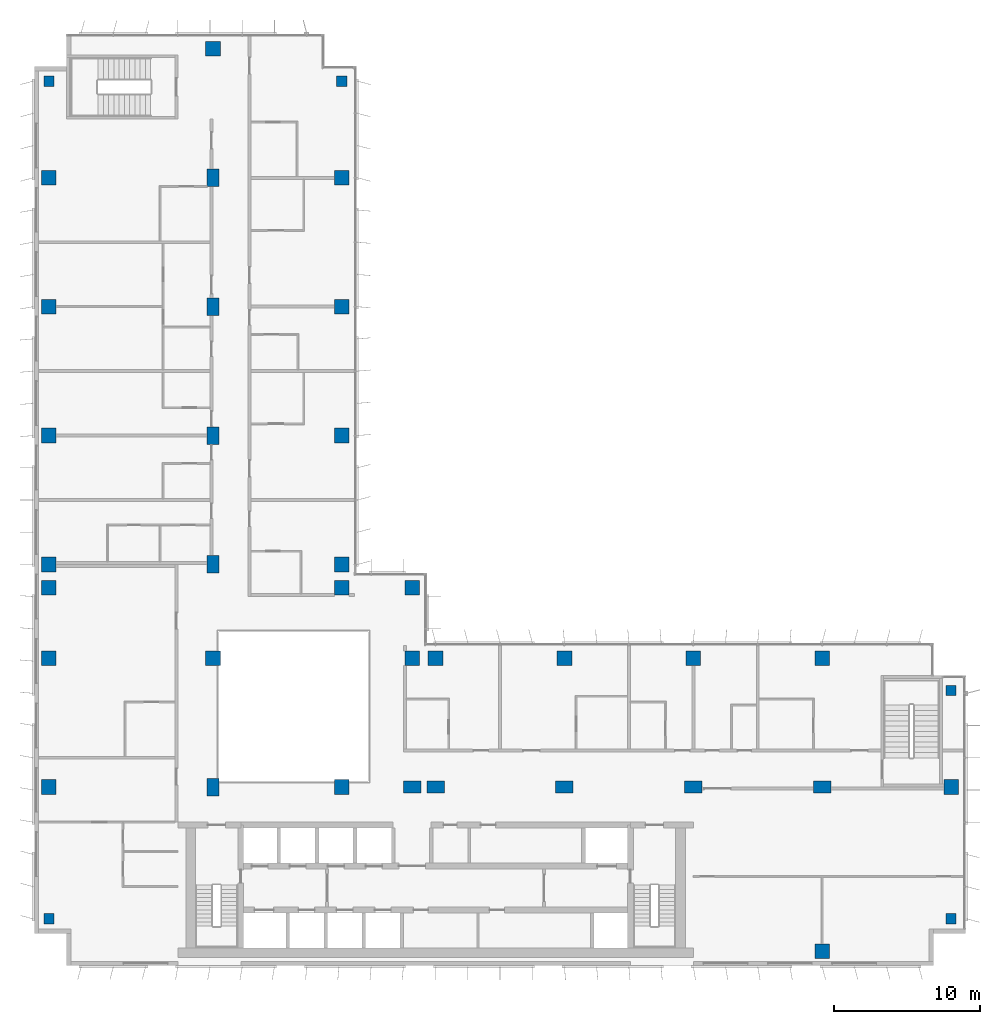
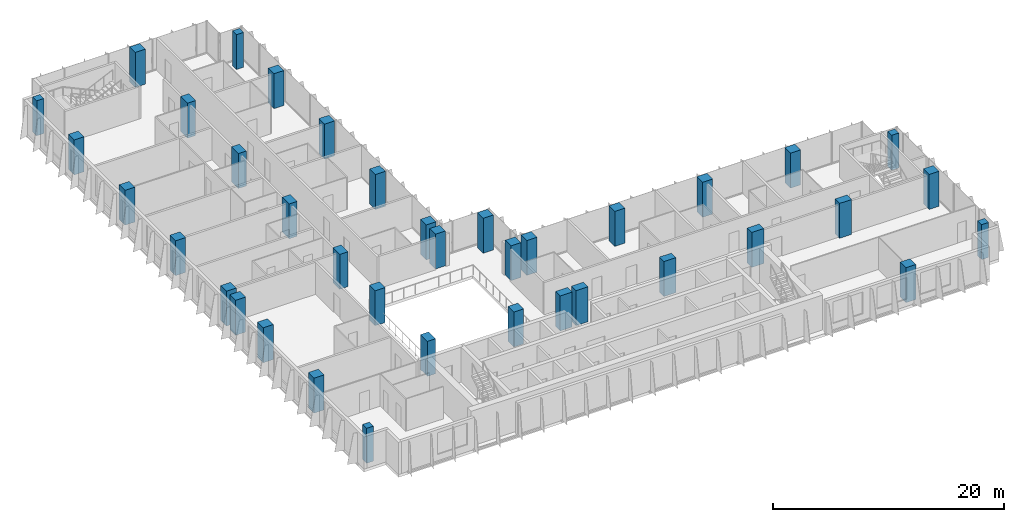
# One storey, part 1 of 21: 38 columns.
"""IFC4 building model written with IfcOpenShell, lengths in metres."""

from ifc_helpers import new_model, si_unit, direction, frame, origin, origin_2d, place, context, subcontext, project, spatial, rectangle, extrude, material, material_profile, profile_set, type_object, element, save


model = new_model("IFC4")

# Units and contexts
model_context = context("Model", 3, precision=1e-05, world=origin(), true_north=direction((0.0, 1.0)))
body_context = subcontext(model_context, "Body", "Model", "MODEL_VIEW")
ifc_project = project(units=[si_unit("LENGTHUNIT", "METRE"), si_unit("AREAUNIT", "SQUARE_METRE"), si_unit("VOLUMEUNIT", "CUBIC_METRE"), si_unit("PLANEANGLEUNIT", "RADIAN"), si_unit("MASSUNIT", "GRAM", prefix="KILO")], contexts=[model_context])

# Site, building, storey
site_placement = place(None, origin())
site = spatial("IfcSite", under=ifc_project, at=site_placement, CompositionType="ELEMENT")
building_placement = place(site_placement, origin())
building = spatial("IfcBuilding", under=site, at=building_placement, Name="Kemantara Hotel Tower", CompositionType="ELEMENT")
storey_placement = place(building_placement, frame((0.0, 0.0, 175.300048828125)))
storey = spatial("IfcBuildingStorey", under=building, at=storey_placement, Name="L43", CompositionType="ELEMENT", Elevation=175.300048828125)

# Columns
ifc_material = material(Name="Concrete fc 60 MPa", Category="concrete")
ifc_material_profile_1 = material_profile(ifc_material, rectangle(XDim=1.0, YDim=1.0, at=origin_2d()), Name="RC 1000X1000")
ifc_profile_set_1 = profile_set([ifc_material_profile_1], Name="Concrete fc 60 MPa")
column_type_1 = type_object("IfcColumnType", Name="RC COLUMN 1000X1000 FC60", PredefinedType="COLUMN", material=ifc_profile_set_1)
for number, where, z_axis, x_axis, name in (
    (1, (1.0, 12.199951171875, 0.0), (0.0, 0.0, 1.0), (1.0, 0.0, 0.0), "COLUMN 1/BA L43"),
    (2, (1.0, 21.0, 0.0), (0.0, 0.0, 1.0), (1.0, 0.0, 0.0), "COLUMN 1/C L43"),
    (3, (1.0, 25.800048828125, 0.0), (0.0, 0.0, 1.0), (1.0, 0.0, 0.0), "COLUMN 1/CA L43"),
    (4, (1.0, 27.39990234375, 0.0), (0.0, 0.0, 1.0), (1.0, 0.0, 0.0), "COLUMN 1/D L43"),
    (5, (1.0, 36.199951171875, 0.0), (0.0, 0.0, 1.0), (1.0, 0.0, 0.0), "COLUMN 1/E L43"),
    (6, (1.0, 45.0, 0.0), (0.0, 0.0, 1.0), (1.0, 0.0, 0.0), "COLUMN 1/F L43"),
    (7, (1.0, 53.800048828125, 0.0), (0.0, 0.0, 1.0), (1.0, 0.0, 0.0), "COLUMN 1/G L43"),
    (8, (12.199951171875, 21.0, 0.0), (0.0, 0.0, 1.0), (1.0, 0.0, 0.0), "COLUMN 2A/C L43"),
    (9, (12.199951171875, 62.60009765625, 0.0), (0.0, 0.0, 1.0), (1.0, 0.0, 0.0), "COLUMN 2A/H L43"),
    (10, (21.0, 12.199951171875, 0.0), (0.0, 0.0, 1.0), (1.0, 0.0, 0.0), "COLUMN 3/BA L43"),
    (11, (21.0, 25.800048828125, 0.0), (0.0, 0.0, 1.0), (1.0, 0.0, 0.0), "COLUMN 3/CA L43"),
    (12, (21.0, 27.39990234375, 0.0), (0.0, 0.0, 1.0), (1.0, 0.0, 0.0), "COLUMN 3/D L43"),
    (13, (21.0, 36.199951171875, 0.0), (0.0, 0.0, 1.0), (1.0, 0.0, 0.0), "COLUMN 3/E L43"),
    (14, (21.0, 45.0, 0.0), (0.0, 0.0, 1.0), (1.0, 0.0, 0.0), "COLUMN 3/F L43"),
    (15, (21.0, 53.800048828125, 0.0), (0.0, 0.0, 1.0), (1.0, 0.0, 0.0), "COLUMN 3/G L43"),
    (16, (25.800048828125, 21.0, 0.0), (0.0, 0.0, 1.0), (1.0, 0.0, 0.0), "COLUMN 3A/C L43"),
    (17, (25.800048828125, 25.800048828125, 0.0), (0.0, 0.0, 1.0), (1.0, 0.0, 0.0), "COLUMN 3A/CA L43"),
    (18, (27.39990234375, 21.0, 0.0), (0.0, 0.0, 1.0), (1.0, 0.0, 0.0), "COLUMN 4/C L43"),
    (19, (36.199951171875, 21.0, 0.0), (0.0, 0.0, 1.0), (1.0, 0.0, 0.0), "COLUMN 5/C L43"),
    (20, (45.0, 21.0, 0.0), (0.0, 0.0, 1.0), (1.0, 0.0, 0.0), "COLUMN 6/C L43"),
    (21, (53.800048828125, 1.0, 0.0), (0.0, 0.0, 1.0), (1.0, 0.0, 0.0), "COLUMN 7/A L43"),
    (22, (53.800048828125, 21.0, 0.0), (0.0, 0.0, 1.0), (1.0, 0.0, 0.0), "COLUMN 7/C L43"),
    (23, (62.60009765625, 12.199951171875, 0.0), (0.0, 0.0, 1.0), (1.0, 0.0, 0.0), "COLUMN 8/BA L43"),
):
    element("IfcColumn", number, at=place(storey_placement, frame(where, z_axis=z_axis, x_axis=x_axis)), inside=storey, type_object=column_type_1, Name=name, PredefinedType="COLUMN", context=body_context, shape_type="SweptSolid", body=[
        extrude(rectangle(XDim=1.0, YDim=1.0, at=origin_2d()), origin(), (0.0, 0.0, 1.0), 3.699951171875),
    ])
ifc_material_profile_2 = material_profile(ifc_material, rectangle(XDim=1.199951171875, YDim=0.800048828125, at=origin_2d()), Name="RC 1200X800")
ifc_profile_set_2 = profile_set([ifc_material_profile_2], Name="Concrete fc 60 MPa")
column_type_2 = type_object("IfcColumnType", Name="RC COLUMN 1200X800 FC60", PredefinedType="COLUMN", material=ifc_profile_set_2)
for number, where, z_axis, x_axis, name in (
    (24, (12.199951171875, 12.199951171875, 0.0), (0.0, 0.0, 1.0), (0.0, 1.0, 0.0), "COLUMN 2A/BA L43"),
    (25, (12.199951171875, 27.39990234375, 0.0), (0.0, 0.0, 1.0), (0.0, 1.0, 0.0), "COLUMN 2A/D L43"),
    (26, (12.199951171875, 36.199951171875, 0.0), (0.0, 0.0, 1.0), (0.0, 1.0, 0.0), "COLUMN 2A/E L43"),
    (27, (12.199951171875, 45.0, 0.0), (0.0, 0.0, 1.0), (0.0, 1.0, 0.0), "COLUMN 2A/F L43"),
    (28, (12.199951171875, 53.800048828125, 0.0), (0.0, 0.0, 1.0), (0.0, 1.0, 0.0), "COLUMN 2A/G L43"),
    (29, (25.800048828125, 12.199951171875, 0.0), (0.0, 0.0, 1.0), (1.0, 0.0, 0.0), "COLUMN 3A/BA L43"),
    (30, (27.39990234375, 12.199951171875, 0.0), (0.0, 0.0, 1.0), (1.0, 0.0, 0.0), "COLUMN 4/BA L43"),
    (31, (36.199951171875, 12.199951171875, 0.0), (0.0, 0.0, 1.0), (1.0, 0.0, 0.0), "COLUMN 5/BA L43"),
    (32, (45.0, 12.199951171875, 0.0), (0.0, 0.0, 1.0), (1.0, 0.0, 0.0), "COLUMN 6/BA L43"),
    (33, (53.800048828125, 12.199951171875, 0.0), (0.0, 0.0, 1.0), (1.0, 0.0, 0.0), "COLUMN 7/BA L43"),
):
    element("IfcColumn", number, at=place(storey_placement, frame(where, z_axis=z_axis, x_axis=x_axis)), inside=storey, type_object=column_type_2, Name=name, PredefinedType="COLUMN", context=body_context, shape_type="SweptSolid", body=[
        extrude(rectangle(XDim=1.199951171875, YDim=0.800048828125, at=origin_2d()), origin(), (0.0, 0.0, 1.0), 3.699951171875),
    ])
ifc_material_profile_3 = material_profile(ifc_material, rectangle(XDim=0.699951171875, YDim=0.699951171875, at=origin_2d()), Name="RC 700X700")
ifc_profile_set_3 = profile_set([ifc_material_profile_3], Name="Concrete fc 60 MPa")
column_type_3 = type_object("IfcColumnType", Name="RC COLUMN 700X700 FC60", PredefinedType="COLUMN", material=ifc_profile_set_3)
for number, where, z_axis, x_axis, name in (
    (34, (1.0, 3.199951171875, 0.0), (0.0, 0.0, 1.0), (1.0, 0.0, 0.0), "COLUMN notch corner L43"),
    (35, (1.0, 60.39990234375, 0.0), (0.0, 0.0, 1.0), (1.0, 0.0, 0.0), "COLUMN notch corner L43"),
    (36, (21.0, 60.39990234375, 0.0), (0.0, 0.0, 1.0), (1.0, 0.0, 0.0), "COLUMN notch corner L43"),
    (37, (62.60009765625, 3.199951171875, 0.0), (0.0, 0.0, 1.0), (1.0, 0.0, 0.0), "COLUMN notch corner L43"),
    (38, (62.60009765625, 18.800048828125, 0.0), (0.0, 0.0, 1.0), (1.0, 0.0, 0.0), "COLUMN notch corner L43"),
):
    element("IfcColumn", number, at=place(storey_placement, frame(where, z_axis=z_axis, x_axis=x_axis)), inside=storey, type_object=column_type_3, Name=name, PredefinedType="COLUMN", context=body_context, shape_type="SweptSolid", body=[
        extrude(rectangle(XDim=0.699951171875, YDim=0.699951171875, at=origin_2d()), origin(), (0.0, 0.0, 1.0), 3.699951171875),
    ])

save(model, "model.ifc")
